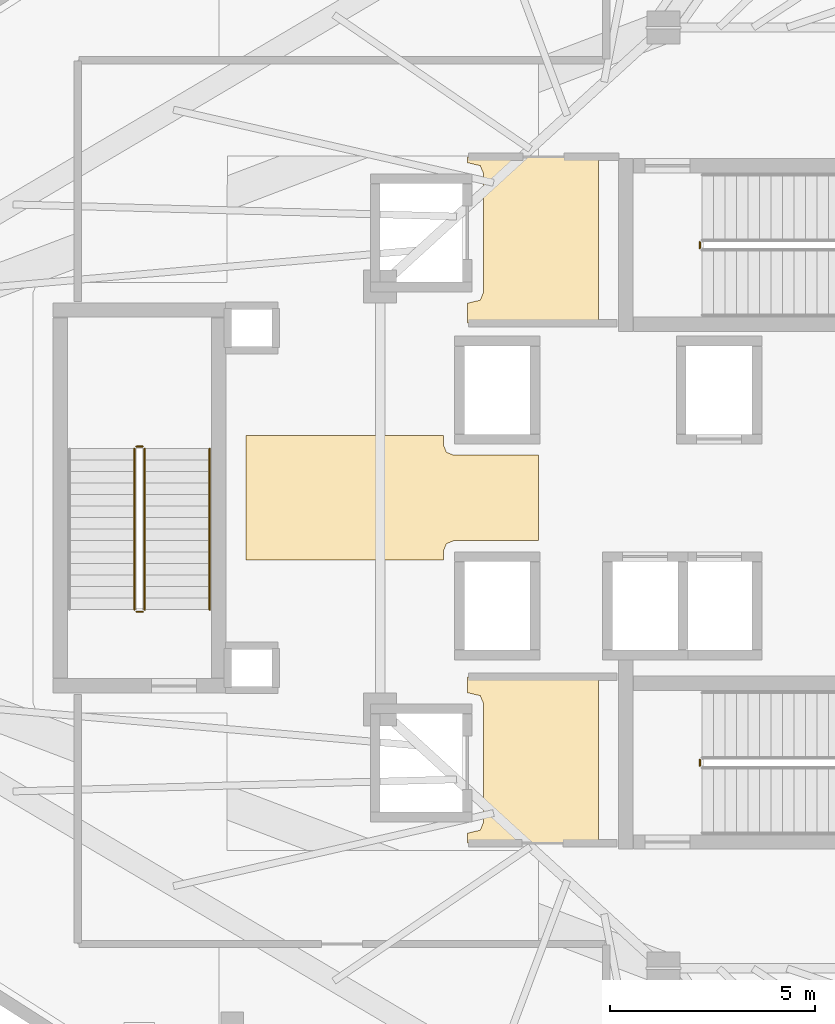
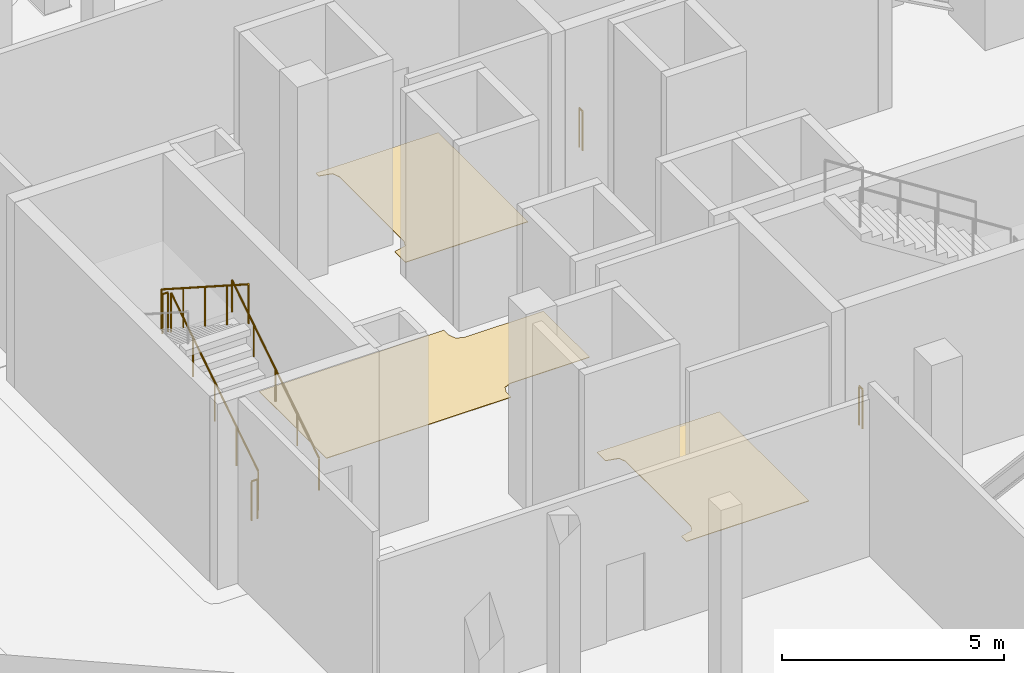
# One storey, part 6 of 9: 7 railings, 3 coverings.
"""IFC4 building model written with IfcOpenShell, lengths in metres."""

import ifcopenshell
import ifcopenshell.guid

model = None  # the IFC model being written
_history = None  # IfcOwnerHistory: only IFC2X3 demands one
_inside = {}  # id of a spatial element -> (the spatial element, [elements in it])
_under = {}  # id of a project, library or spatial element -> (it, [spatial elements below it])
_declared = {}  # id of a project -> (the project, [libraries it declares])
_typed = {}  # id of a type object -> (the type object, [elements of that type])
_made_of = {}  # id of a material, layer set ... -> (it, [elements and type objects made of it])


def new_model(schema):
    """Start an empty IFC model of exactly this schema.

    Asked for "IFC4X3", IfcOpenShell would pick the latest addendum, in which some entities
    have other attributes; the version numbers below select the first issue.
    IFC2X3 requires an IfcOwnerHistory on every rooted entity: one is made here for all.
    """
    global model, _history
    if schema == "IFC4X3":
        model = ifcopenshell.file(schema_version=(4, 3, 0, 0))
    else:
        model = ifcopenshell.file(schema=schema)
    _inside.clear()
    _under.clear()
    _declared.clear()
    _typed.clear()
    _made_of.clear()
    _history = None
    if model.schema == "IFC2X3":
        org = make("IfcOrganization", Name="unknown")
        user = make(
            "IfcPersonAndOrganization",
            ThePerson=make("IfcPerson", FamilyName="unknown"),
            TheOrganization=org,
        )
        app = make(
            "IfcApplication",
            ApplicationDeveloper=org,
            Version="unknown",
            ApplicationFullName="unknown",
            ApplicationIdentifier="unknown",
        )
        _history = make(
            "IfcOwnerHistory",
            OwningUser=user,
            OwningApplication=app,
            ChangeAction="ADDED",
            CreationDate=0,
        )
    return model


def make(cls, **values):
    """One entity of the class cls with the attributes given. An attribute that is None is left unset."""
    return model.create_entity(
        cls, **{name: value for name, value in values.items() if value is not None}
    )


def rooted(cls, **values):
    """An entity with a GlobalId (a new one), such as an element, a storey or a relation."""
    return make(cls, GlobalId=ifcopenshell.guid.new(), OwnerHistory=_history, **values)


def si_unit(unit_type, name, prefix=None):
    """IfcSIUnit, for example si_unit("LENGTHUNIT", "METRE", prefix="MILLI")."""
    return make("IfcSIUnit", UnitType=unit_type, Prefix=prefix, Name=name)


def assignment(units):
    """IfcUnitAssignment: the units of a project."""
    return None if units is None else make("IfcUnitAssignment", Units=units)


def point(xyz):
    """IfcCartesianPoint."""
    return None if xyz is None else make("IfcCartesianPoint", Coordinates=xyz)


def direction(xyz):
    """IfcDirection."""
    return None if xyz is None else make("IfcDirection", DirectionRatios=xyz)


def frame(location, z_axis=None, x_axis=None):
    """IfcAxis2Placement3D, a coordinate frame: its origin and axes. An axis left out is left unset."""
    return make(
        "IfcAxis2Placement3D",
        Location=point(location),
        Axis=direction(z_axis),
        RefDirection=direction(x_axis),
    )


def frame_2d(location, x_axis=None):
    """IfcAxis2Placement2D, a coordinate frame in the plane: its origin and x axis."""
    return make(
        "IfcAxis2Placement2D", Location=point(location), RefDirection=direction(x_axis)
    )


def origin():
    """The frame at (0, 0, 0) with its axes left unset."""
    return frame((0.0, 0.0, 0.0))


def origin_2d():
    """The frame at (0, 0) in the plane with its x axis left unset."""
    return frame_2d((0.0, 0.0))


def place(relative_to, where):
    """IfcLocalPlacement: puts the frame where relative to a parent placement (None: the world)."""
    return make(
        "IfcLocalPlacement", PlacementRelTo=relative_to, RelativePlacement=where
    )


def context(
    kind, dimensions, precision=None, world=None, true_north=None, identifier=None
):
    """IfcGeometricRepresentationContext, for example the 3D "Model" context."""
    return make(
        "IfcGeometricRepresentationContext",
        ContextIdentifier=identifier,
        ContextType=kind,
        CoordinateSpaceDimension=dimensions,
        Precision=precision,
        WorldCoordinateSystem=world,
        TrueNorth=true_north,
    )


def subcontext(parent, identifier, kind, view, scale=None):
    """IfcGeometricRepresentationSubContext, for example "Body" below "Model"."""
    return make(
        "IfcGeometricRepresentationSubContext",
        ContextIdentifier=identifier,
        ContextType=kind,
        ParentContext=parent,
        TargetScale=scale,
        TargetView=view,
    )


def project(units=None, contexts=None):
    """IfcProject with its units and contexts."""
    return rooted(
        "IfcProject",
        Name="project",
        RepresentationContexts=contexts,
        UnitsInContext=assignment(units),
    )


def spatial(cls, under=None, at=None, **own):
    """A site, building, storey or space (cls), placed at a placement, below another one or the project."""
    s = rooted(cls, ObjectPlacement=at, **own)
    if under is not None:
        _under.setdefault(under.id(), (under, []))[1].append(s)
    return s


def polyline(points):
    """IfcPolyline through the points."""
    return make("IfcPolyline", Points=[point(p) for p in points])


def profile(cls, at=None, kind="AREA", **sizes):
    """A parametric profile (cls). Its sizes go by their IFC names, for example OverallWidth=200.0."""
    return make(cls, ProfileType=kind, Position=at, **sizes)


def circle(**sizes):
    """IfcCircleProfileDef."""
    return profile("IfcCircleProfileDef", **sizes)


def outline(outer, holes=None, kind="AREA"):
    """IfcArbitraryClosedProfileDef: a profile drawn as a closed curve; with holes, ...WithVoids."""
    if holes is None:
        return make("IfcArbitraryClosedProfileDef", ProfileType=kind, OuterCurve=outer)
    return make(
        "IfcArbitraryProfileDefWithVoids",
        ProfileType=kind,
        OuterCurve=outer,
        InnerCurves=holes,
    )


def extrude(swept, where, along, depth):
    """IfcExtrudedAreaSolid: the profile swept, set in the frame where, extruded along a direction by depth."""
    return make(
        "IfcExtrudedAreaSolid",
        SweptArea=swept,
        Position=where,
        ExtrudedDirection=direction(along),
        Depth=depth,
    )


def shape(context_of_items, identifier, shape_type, items):
    """IfcShapeRepresentation: the items that make up one representation, for example the "Body"."""
    return make(
        "IfcShapeRepresentation",
        ContextOfItems=context_of_items,
        RepresentationIdentifier=identifier,
        RepresentationType=shape_type,
        Items=items,
    )


def material(Name=None, Category=None):
    """IfcMaterial."""
    return make("IfcMaterial", Name=Name, Category=Category)


def layer(
    of_material, thickness, ventilated=None, Name=None, Category=None, Priority=None
):
    """IfcMaterialLayer: one layer of a wall or slab, of a material (None: an air gap)."""
    return make(
        "IfcMaterialLayer",
        Material=of_material,
        LayerThickness=thickness,
        IsVentilated=ventilated,
        Name=Name,
        Category=Category,
        Priority=Priority,
    )


def layer_set(layers, Name=None):
    """IfcMaterialLayerSet."""
    return make("IfcMaterialLayerSet", MaterialLayers=layers, LayerSetName=Name)


def made_of(thing, what):
    """Note that an element or type object is made of a material, layer set ...; save() writes the relation."""
    if what is not None:
        _made_of.setdefault(what.id(), (what, []))[1].append(thing)
    return thing


def type_object(cls, material=None, **own):
    """A type object (cls), such as IfcWallType, which elements share."""
    return made_of(rooted(cls, **own), material)


def element(
    cls,
    number,
    at=None,
    inside=None,
    cuts=None,
    type_object=None,
    material=None,
    context=None,
    identifier="Body",
    shape_type=None,
    held_by="IfcProductDefinitionShape",
    body=None,
    shapes=None,
    **own,
):
    """One element of the class cls, such as IfcWall. Its Tag is "e" and its number.

    at: its placement. inside: the storey or other place that contains it. cuts: it is an
    opening in that element (IfcRelVoidsElement). A single representation is given by context,
    identifier, shape_type and body (its items); several are given by shapes. held_by: the class
    of the entity that holds the representations. save() writes the other relations.
    """
    e = rooted(cls, Tag="e%d" % number, ObjectPlacement=at, **own)
    if body is not None:
        shapes = [shape(context, identifier, shape_type, body)]
    if shapes is not None:
        e.Representation = make(held_by, Representations=shapes)
    if inside is not None:
        _inside.setdefault(inside.id(), (inside, []))[1].append(e)
    if cuts is not None:
        rooted(
            "IfcRelVoidsElement", RelatingBuildingElement=cuts, RelatedOpeningElement=e
        )
    if type_object is not None:
        _typed.setdefault(type_object.id(), (type_object, []))[1].append(e)
    return made_of(e, material)


def aggregate(whole, parts):
    """IfcRelAggregates: a whole, such as a stair, and the parts it consists of."""
    return rooted("IfcRelAggregates", RelatingObject=whole, RelatedObjects=parts)


def save(model, path):
    """Write the relations noted so far, then the file.

    IfcRelAggregates (storeys below a building ...), IfcRelContainedInSpatialStructure (elements
    in a storey), IfcRelDefinesByType, IfcRelAssociatesMaterial and IfcRelDeclares: one each for
    every whole, place, type object, material and project.
    """
    for whole, parts in _under.values():
        aggregate(whole, parts)
    for where, things in _inside.values():
        rooted(
            "IfcRelContainedInSpatialStructure",
            RelatedElements=things,
            RelatingStructure=where,
        )
    for kind, things in _typed.values():
        rooted("IfcRelDefinesByType", RelatedObjects=things, RelatingType=kind)
    for what, things in _made_of.values():
        rooted("IfcRelAssociatesMaterial", RelatedObjects=things, RelatingMaterial=what)
    for by, libraries in _declared.values():
        rooted("IfcRelDeclares", RelatingContext=by, RelatedDefinitions=libraries)
    model.write(path)


model = new_model("IFC4")

# Units and contexts
model_context = context("Model", 3, precision=1e-05, world=origin(), true_north=direction((0.0, 1.0)))
body_context = subcontext(model_context, "Body", "Model", "MODEL_VIEW")
ifc_project = project(units=[si_unit("LENGTHUNIT", "METRE"), si_unit("AREAUNIT", "SQUARE_METRE"), si_unit("VOLUMEUNIT", "CUBIC_METRE"), si_unit("PLANEANGLEUNIT", "RADIAN"), si_unit("MASSUNIT", "GRAM", prefix="KILO")], contexts=[model_context])

# Site, building, storey
site_placement = place(None, origin())
site = spatial("IfcSite", under=ifc_project, at=site_placement, CompositionType="ELEMENT")
building_placement = place(site_placement, origin())
building = spatial("IfcBuilding", under=site, at=building_placement, Name="Qorvath Tower", CompositionType="ELEMENT")
storey_placement = place(building_placement, frame((0.0, 0.0, 249.60009765625)))
storey = spatial("IfcBuildingStorey", under=building, at=storey_placement, Name="L58", CompositionType="ELEMENT", Elevation=249.60009765625)

# Coverings
ifc_material_1 = material(Name="Polished epoxy terrazzo flooring", Category="concrete")
ifc_layer = layer(ifc_material_1, 0.02001953125)
ifc_layer_set = layer_set([ifc_layer], Name="COV-FLOOR-TRZ")
covering_type = type_object("IfcCoveringType", Name="COV-FLOOR-TRZ", PredefinedType="FLOORING", material=ifc_layer_set)
covering_1_placement = place(storey_placement, origin())
element("IfcCovering", 1, at=covering_1_placement, inside=storey, type_object=covering_type, Name="L58 Floor Finish 001", PredefinedType="FLOORING", context=body_context, shape_type="SweptSolid", body=[
    extrude(outline(polyline([(-25.18994140625, 4.2548828125), (-25.18994140625, 8.294921875), (-28.375, 8.294921875), (-28.375, 8.159912109375), (-28.063232421875, 8.086669921875), (-27.989990234375, 7.909912109375), (-27.989990234375, 4.989990234375), (-28.063232421875, 4.813232421875), (-28.375, 4.739990234375), (-28.375, 4.2548828125), (-25.18994140625, 4.2548828125)])), origin(), (0.0, 0.0, 1.0), 0.014892578125),
])
covering_2_placement = place(storey_placement, origin())
element("IfcCovering", 2, at=covering_2_placement, inside=storey, type_object=covering_type, Name="L58 Floor Finish 002", PredefinedType="FLOORING", context=body_context, shape_type="SweptSolid", body=[
    extrude(outline(polyline([(-25.18994140625, -8.39501953125), (-25.18994140625, -4.35498046875), (-28.375, -4.35498046875), (-28.375, -4.739990234375), (-28.063232421875, -4.813232421875), (-27.989990234375, -4.989990234375), (-27.989990234375, -7.909912109375), (-28.063232421875, -8.086669921875), (-28.375, -8.159912109375), (-28.375, -8.39501953125), (-25.18994140625, -8.39501953125)])), origin(), (0.0, 0.0, 1.0), 0.014892578125),
])
covering_3_placement = place(storey_placement, origin())
element("IfcCovering", 3, at=covering_3_placement, inside=storey, type_object=covering_type, Name="L58 Floor Finish 005", PredefinedType="FLOORING", context=body_context, shape_type="SweptSolid", body=[
    extrude(outline(polyline([(-26.647705078125, -1.0400390625), (-26.647705078125, 1.0400390625), (-28.7099609375, 1.0400390625), (-28.88671875, 1.11328125), (-28.9599609375, 1.2900390625), (-28.9599609375, 1.514892578125), (-33.760009765625, 1.514892578125), (-33.760009765625, -1.514892578125), (-28.9599609375, -1.514892578125), (-28.9599609375, -1.2900390625), (-28.88671875, -1.11328125), (-28.7099609375, -1.0400390625), (-26.647705078125, -1.0400390625)])), origin(), (0.0, 0.0, 1.0), 0.014892578125),
])

# Railings
ifc_material_2 = material(Name="Painted galvanised steel", Category="steel")
railing_type_1 = type_object("IfcRailingType", Name="RL-STR-GRD", PredefinedType="GUARDRAIL", material=ifc_material_2)
for number, where, name in (
    (4, (-22.719970703125, 6.080078125, 0.0), "L58 TS1 stair guard 4"),
    (5, (-22.719970703125, -6.52001953125, 0.0), "L58 TS2 stair guard 4"),
):
    element("IfcRailing", number, at=place(storey_placement, frame(where)), inside=storey, type_object=railing_type_1, Name=name, PredefinedType="GUARDRAIL", context=body_context, shape_type="SweptSolid", body=[
        extrude(circle(Radius=0.02392578125, at=origin_2d()), frame((0.0, 0.0, 1.076171875), z_axis=(0.0, 1.0, 0.0), x_axis=(-1.0, 0.0, 0.0)), (0.0, 0.0, 1.0), 0.14990234375),
        extrude(circle(Radius=0.02099609375, at=origin_2d()), origin(), (0.0, 0.0, 1.0), 1.052001953125),
        extrude(circle(Radius=0.02099609375, at=origin_2d()), frame((0.0, 0.14990234375, 0.0)), (0.0, 0.0, 1.0), 1.052001953125),
    ])
railing_1_placement = place(storey_placement, frame((-36.22998046875, -2.719970703125, 0.179931640625)))
element("IfcRailing", 6, at=railing_1_placement, inside=storey, type_object=railing_type_1, Name="L58 TS3 stair guard 1", PredefinedType="GUARDRAIL", context=body_context, shape_type="SweptSolid", body=[
    extrude(circle(Radius=0.02392578125, at=origin_2d()), frame((0.0, 0.0, 1.076171875), z_axis=(0.0, 0.841171666519, 0.540768182723), x_axis=(-1.0, 0.0, 0.0)), (0.0, 0.0, 1.0), 4.66015625),
    extrude(circle(Radius=0.02099609375, at=origin_2d()), origin(), (0.0, 0.0, 1.0), 1.052001953125),
    extrude(circle(Radius=0.02099609375, at=origin_2d()), frame((0.0, 0.97998046875, 0.6298828125)), (0.0, 0.0, 1.0), 1.052001953125),
    extrude(circle(Radius=0.02099609375, at=origin_2d()), frame((0.0, 1.9599609375, 1.260009765625)), (0.0, 0.0, 1.0), 1.052001953125),
    extrude(circle(Radius=0.02099609375, at=origin_2d()), frame((0.0, 2.93994140625, 1.89013671875)), (0.0, 0.0, 1.0), 1.052001953125),
    extrude(circle(Radius=0.02099609375, at=origin_2d()), frame((0.0, 3.919921875, 2.52001953125)), (0.0, 0.0, 1.0), 1.052001953125),
])
railing_2_placement = place(storey_placement, frame((-36.280029296875, 1.25, 2.699951171875)))
element("IfcRailing", 7, at=railing_2_placement, inside=storey, type_object=railing_type_1, Name="L58 TS3 stair guard 2", PredefinedType="GUARDRAIL", context=body_context, shape_type="SweptSolid", body=[
    extrude(circle(Radius=0.02392578125, at=origin_2d()), frame((0.0, 0.0, 1.076171875), z_axis=(-1.0, 0.0, 0.0), x_axis=(0.0, -1.0, 0.0)), (0.0, 0.0, 1.0), 0.14990234375),
    extrude(circle(Radius=0.02099609375, at=origin_2d()), origin(), (0.0, 0.0, 1.0), 1.052001953125),
    extrude(circle(Radius=0.02099609375, at=origin_2d()), frame((-0.14990234375, 0.0, 0.0)), (0.0, 0.0, 1.0), 1.052001953125),
])
railing_3_placement = place(storey_placement, frame((-36.47998046875, 1.199951171875, 2.8798828125)))
element("IfcRailing", 8, at=railing_3_placement, inside=storey, type_object=railing_type_1, Name="L58 TS3 stair guard 3", PredefinedType="GUARDRAIL", context=body_context, shape_type="SweptSolid", body=[
    extrude(circle(Radius=0.02392578125, at=origin_2d()), frame((0.0, 0.0, 1.076171875), z_axis=(0.0, -0.841171666519, 0.540768182723), x_axis=(1.0, 0.0, 0.0)), (0.0, 0.0, 1.0), 4.66015625),
    extrude(circle(Radius=0.02099609375, at=origin_2d()), origin(), (0.0, 0.0, 1.0), 1.052001953125),
    extrude(circle(Radius=0.02099609375, at=origin_2d()), frame((0.0, -0.97998046875, 0.6298828125)), (0.0, 0.0, 1.0), 1.052001953125),
    extrude(circle(Radius=0.02099609375, at=origin_2d()), frame((0.0, -1.9599609375, 1.260009765625)), (0.0, 0.0, 1.0), 1.052001953125),
    extrude(circle(Radius=0.02099609375, at=origin_2d()), frame((0.0, -2.93994140625, 1.89013671875)), (0.0, 0.0, 1.0), 1.052001953125),
    extrude(circle(Radius=0.02099609375, at=origin_2d()), frame((0.0, -3.919921875, 2.52001953125)), (0.0, 0.0, 1.0), 1.052001953125),
])
railing_4_placement = place(storey_placement, frame((-36.280029296875, -2.77001953125, 0.0)))
element("IfcRailing", 9, at=railing_4_placement, inside=storey, type_object=railing_type_1, Name="L58 TS3 stair guard 4", PredefinedType="GUARDRAIL", context=body_context, shape_type="SweptSolid", body=[
    extrude(circle(Radius=0.02392578125, at=origin_2d()), frame((0.0, 0.0, 1.076171875), z_axis=(-1.0, 0.0, 0.0), x_axis=(0.0, -1.0, 0.0)), (0.0, 0.0, 1.0), 0.14990234375),
    extrude(circle(Radius=0.02099609375, at=origin_2d()), origin(), (0.0, 0.0, 1.0), 1.052001953125),
    extrude(circle(Radius=0.02099609375, at=origin_2d()), frame((-0.14990234375, 0.0, 0.0)), (0.0, 0.0, 1.0), 1.052001953125),
])
ifc_material_3 = material(Name="Brushed stainless steel AISI 304", Category="steel")
railing_type_2 = type_object("IfcRailingType", Name="RL-STR-HND", PredefinedType="HANDRAIL", material=ifc_material_3)
railing_5_placement = place(storey_placement, frame((-34.64990234375, -2.719970703125, 0.179931640625)))
element("IfcRailing", 10, at=railing_5_placement, inside=storey, type_object=railing_type_2, Name="L58 TS3 stair handrail 1", PredefinedType="HANDRAIL", context=body_context, shape_type="SweptSolid", body=[
    extrude(circle(Radius=0.02392578125, at=origin_2d()), frame((0.0, 0.0, 0.8759765625), z_axis=(0.0, 0.841171666519, 0.540768182723), x_axis=(-1.0, 0.0, 0.0)), (0.0, 0.0, 1.0), 4.66015625),
    extrude(circle(Radius=0.02099609375, at=origin_2d()), origin(), (0.0, 0.0, 1.0), 0.851806640625),
    extrude(circle(Radius=0.02099609375, at=origin_2d()), frame((0.0, 0.97998046875, 0.6298828125)), (0.0, 0.0, 1.0), 0.851806640625),
    extrude(circle(Radius=0.02099609375, at=origin_2d()), frame((0.0, 1.9599609375, 1.260009765625)), (0.0, 0.0, 1.0), 0.851806640625),
    extrude(circle(Radius=0.02099609375, at=origin_2d()), frame((0.0, 2.93994140625, 1.89013671875)), (0.0, 0.0, 1.0), 0.851806640625),
    extrude(circle(Radius=0.02099609375, at=origin_2d()), frame((0.0, 3.919921875, 2.52001953125)), (0.0, 0.0, 1.0), 0.851806640625),
])

save(model, "model.ifc")
